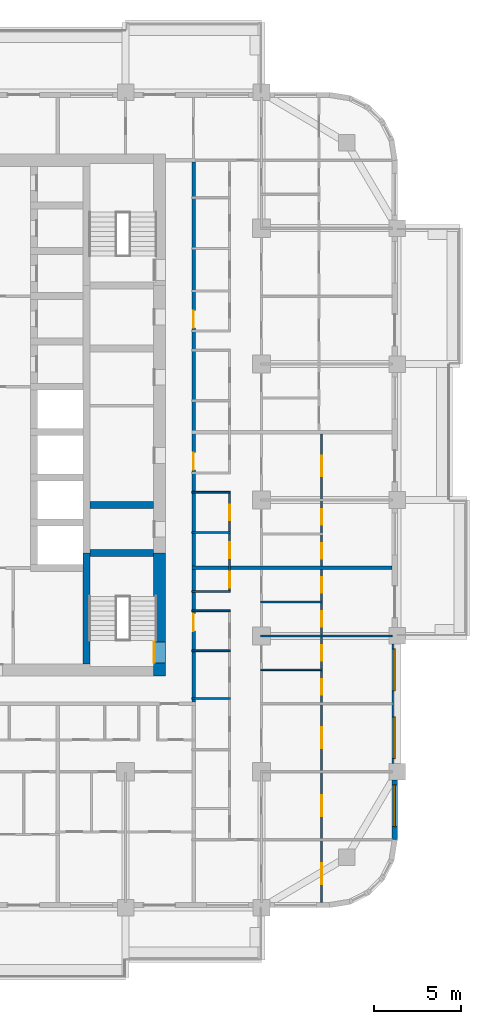
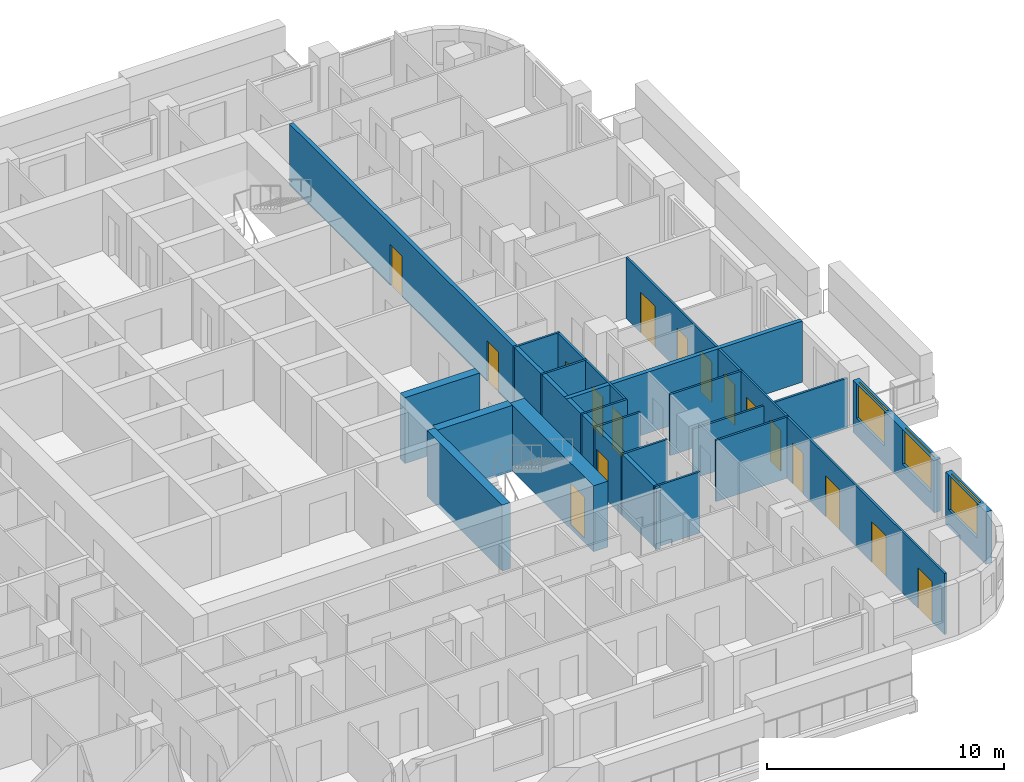
# One storey, part 8 of 17: 19 walls, 17 doors, 3 windows, 20 openings.
"""IFC4 building model written with IfcOpenShell, lengths in metres."""

from ifc_helpers import new_model, si_unit, direction, frame, frame_2d, origin, place, context, subcontext, project, spatial, rectangle, extrude, material, layer, layer_set, type_object, element, fill, save


model = new_model("IFC4")

# Units and contexts
model_context = context("Model", 3, precision=1e-05, world=origin(), true_north=direction((0.0, 1.0)))
body_context = subcontext(model_context, "Body", "Model", "MODEL_VIEW")
ifc_project = project(units=[si_unit("LENGTHUNIT", "METRE"), si_unit("AREAUNIT", "SQUARE_METRE"), si_unit("VOLUMEUNIT", "CUBIC_METRE"), si_unit("PLANEANGLEUNIT", "RADIAN"), si_unit("MASSUNIT", "GRAM", prefix="KILO")], contexts=[model_context])

# Site, building, storey
site_placement = place(None, origin())
site = spatial("IfcSite", under=ifc_project, at=site_placement, CompositionType="ELEMENT")
building_placement = place(site_placement, origin())
building = spatial("IfcBuilding", under=site, at=building_placement, Name="Ludao Terraces", CompositionType="ELEMENT")
storey_placement = place(building_placement, frame((0.0, 0.0, 88.60009765625)))
storey = spatial("IfcBuildingStorey", under=building, at=storey_placement, Name="L24", CompositionType="ELEMENT", Elevation=88.60009765625)

# Wall, opening, door
ifc_material_1 = material(Name="Concrete C70", Category="concrete")
ifc_layer_1 = layer(ifc_material_1, 0.699951171875)
ifc_layer_set_1 = layer_set([ifc_layer_1], Name="Core wall 700 C70")
wall_type_1 = type_object("IfcWallType", Name="Core wall 700 C70", PredefinedType="SOLIDWALL", material=ifc_layer_set_1)
wall_1_placement = place(storey_placement, frame((94.75, 54.89990234375, -0.25), z_axis=(0.0, 0.0, 1.0), x_axis=(0.0, 1.0, 0.0)))
wall_1 = element("IfcWall", 1, at=wall_1_placement, inside=storey, type_object=wall_type_1, Name="Core wall L24 outer-E-S3", PredefinedType="SOLIDWALL", context=body_context, shape_type="SweptSolid", body=[
    extrude(rectangle(XDim=7.050048828125, YDim=0.699951171875, at=frame_2d((3.52490234375, 0.0))), origin(), (0.0, 0.0, 1.0), 3.39990234375),
])
opening_1_placement = place(wall_1_placement, frame((0.75, 0.0, 0.25)))
opening_1 = element("IfcOpeningElement", 2, at=opening_1_placement, cuts=wall_1, Name="Opening R07-058", PredefinedType="OPENING", context=body_context, shape_type="SweptSolid", body=[
    extrude(rectangle(XDim=1.199951171875, YDim=2.10009765625, at=frame_2d((0.60009765625, 1.050048828125))), frame((0.0, 0.35986328125, 0.0), z_axis=(0.0, -1.0, 0.0), x_axis=(1.0, 0.0, 0.0)), (0.0, 0.0, 1.0), 0.719970703125),
])
ifc_material_2 = material(Name="Steel Q235", Category="steel")
door_type_1 = type_object("IfcDoorType", Name="INT Stair door 1200", OperationType="DOUBLE_DOOR_SINGLE_SWING", PredefinedType="DOOR", material=ifc_material_2)
door_1_placement = place(opening_1_placement, origin())
door_1 = element("IfcDoor", 3, at=door_1_placement, inside=storey, type_object=door_type_1, Name="DOOR 058", OperationType="DOUBLE_DOOR_SINGLE_SWING", OverallHeight=2.10009765625, OverallWidth=1.199951171875, PredefinedType="DOOR", context=body_context, shape_type="SweptSolid", body=[
    extrude(rectangle(XDim=1.199951171875, YDim=2.10009765625, at=frame_2d((0.60009765625, 1.050048828125))), frame((0.0, 0.3349609375, 0.0), z_axis=(0.0, -1.0, 0.0), x_axis=(1.0, 0.0, 0.0)), (0.0, 0.0, 1.0), 0.050048828125),
])
fill(opening_1, door_1)

# Wall, opening, window
ifc_material_3 = material(Name="Granite cladding", Category="masonry")
ifc_layer_2 = layer(ifc_material_3, 0.0400390625, Category="stone")
ifc_material_4 = material(Name="Mineral wool")
ifc_layer_3 = layer(ifc_material_4, 0.06005859375)
ifc_material_5 = material(Name="Concrete C40", Category="concrete")
ifc_layer_4 = layer(ifc_material_5, 0.199951171875, Category="concrete")
ifc_layer_set_2 = layer_set([ifc_layer_2, ifc_layer_3, ifc_layer_4], Name="ENV Stone-clad wall 300")
wall_type_2 = type_object("IfcWallType", Name="ENV Stone-clad wall 300", PredefinedType="SOLIDWALL", material=ifc_layer_set_2)
wall_2_placement = place(storey_placement, frame((108.25, 45.5, 0.0), z_axis=(0.0, 0.0, 1.0), x_axis=(0.0, 1.0, 0.0)))
wall_2 = element("IfcWall", 4, at=wall_2_placement, inside=storey, type_object=wall_type_2, Name="EW-L24-E1", PredefinedType="SOLIDWALL", context=body_context, shape_type="SweptSolid", body=[
    extrude(rectangle(XDim=3.425048828125, YDim=0.300048828125, at=frame_2d((1.71240234375, 0.0))), origin(), (0.0, 0.0, 1.0), 2.699951171875),
])
opening_2_placement = place(wall_2_placement, frame((0.75, 0.0, 0.89990234375)))
opening_2 = element("IfcOpeningElement", 5, at=opening_2_placement, cuts=wall_2, Name="Opening W1", PredefinedType="OPENING", context=body_context, shape_type="SweptSolid", body=[
    extrude(rectangle(XDim=2.39990234375, YDim=1.800048828125, at=frame_2d((1.199951171875, 0.89990234375))), frame((0.0, 0.16015625, 0.0), z_axis=(0.0, -1.0, 0.0), x_axis=(1.0, 0.0, 0.0)), (0.0, 0.0, 1.0), 0.320068359375),
])
ifc_material_6 = material(Name="Clear glass in aluminium frame", Category="aluminium")
ifc_layer_5 = layer(ifc_material_6, 0.06005859375)
ifc_layer_set_3 = layer_set([ifc_layer_5], Name="ENV Window W1 2400x1800")
window_type = type_object("IfcWindowType", Name="ENV Window W1 2400x1800", PartitioningType="DOUBLE_PANEL_VERTICAL", PredefinedType="WINDOW", material=ifc_layer_set_3)
window_1_placement = place(opening_2_placement, origin())
window_1 = element("IfcWindow", 6, at=window_1_placement, inside=storey, type_object=window_type, Name="W-L24-E1-1", OverallHeight=1.800048828125, OverallWidth=2.39990234375, PartitioningType="DOUBLE_PANEL_VERTICAL", PredefinedType="WINDOW", context=body_context, shape_type="SweptSolid", body=[
    extrude(rectangle(XDim=2.39990234375, YDim=1.800048828125, at=frame_2d((1.199951171875, 0.89990234375))), frame((0.0, 0.030029296875, 0.0), z_axis=(0.0, -1.0, 0.0), x_axis=(1.0, 0.0, 0.0)), (0.0, 0.0, 1.0), 0.06005859375),
])
fill(opening_2, window_1)

# Wall, openings, windows
wall_3_placement = place(storey_placement, frame((108.25, 49.875, 0.0), z_axis=(0.0, 0.0, 1.0), x_axis=(0.0, 1.0, 0.0)))
wall_3 = element("IfcWall", 7, at=wall_3_placement, inside=storey, type_object=wall_type_2, Name="EW-L24-E2", PredefinedType="SOLIDWALL", context=body_context, shape_type="SweptSolid", body=[
    extrude(rectangle(XDim=6.85009765625, YDim=0.300048828125, at=frame_2d((3.425048828125, 0.0))), origin(), (0.0, 0.0, 1.0), 2.699951171875),
])
opening_3_placement = place(wall_3_placement, frame((0.27490234375, 0.0, 0.89990234375)))
opening_3 = element("IfcOpeningElement", 8, at=opening_3_placement, cuts=wall_3, Name="Opening W1", PredefinedType="OPENING", context=body_context, shape_type="SweptSolid", body=[
    extrude(rectangle(XDim=2.39990234375, YDim=1.800048828125, at=frame_2d((1.199951171875, 0.89990234375))), frame((0.0, 0.16015625, 0.0), z_axis=(0.0, -1.0, 0.0), x_axis=(1.0, 0.0, 0.0)), (0.0, 0.0, 1.0), 0.320068359375),
])
opening_4_placement = place(wall_3_placement, frame((4.175048828125, 0.0, 0.89990234375)))
opening_4 = element("IfcOpeningElement", 9, at=opening_4_placement, cuts=wall_3, Name="Opening W1", PredefinedType="OPENING", context=body_context, shape_type="SweptSolid", body=[
    extrude(rectangle(XDim=2.39990234375, YDim=1.800048828125, at=frame_2d((1.199951171875, 0.89990234375))), frame((0.0, 0.16015625, 0.0), z_axis=(0.0, -1.0, 0.0), x_axis=(1.0, 0.0, 0.0)), (0.0, 0.0, 1.0), 0.320068359375),
])
window_2_placement = place(opening_3_placement, origin())
window_2 = element("IfcWindow", 10, at=window_2_placement, inside=storey, type_object=window_type, Name="W-L24-E2-1", OverallHeight=1.800048828125, OverallWidth=2.39990234375, PartitioningType="DOUBLE_PANEL_VERTICAL", PredefinedType="WINDOW", context=body_context, shape_type="SweptSolid", body=[
    extrude(rectangle(XDim=2.39990234375, YDim=1.800048828125, at=frame_2d((1.199951171875, 0.89990234375))), frame((0.0, 0.030029296875, 0.0), z_axis=(0.0, -1.0, 0.0), x_axis=(1.0, 0.0, 0.0)), (0.0, 0.0, 1.0), 0.06005859375),
])
fill(opening_3, window_2)
window_3_placement = place(opening_4_placement, origin())
window_3 = element("IfcWindow", 11, at=window_3_placement, inside=storey, type_object=window_type, Name="W-L24-E2-2", OverallHeight=1.800048828125, OverallWidth=2.39990234375, PartitioningType="DOUBLE_PANEL_VERTICAL", PredefinedType="WINDOW", context=body_context, shape_type="SweptSolid", body=[
    extrude(rectangle(XDim=2.39990234375, YDim=1.800048828125, at=frame_2d((1.199951171875, 0.89990234375))), frame((0.0, 0.030029296875, 0.0), z_axis=(0.0, -1.0, 0.0), x_axis=(1.0, 0.0, 0.0)), (0.0, 0.0, 1.0), 0.06005859375),
])
fill(opening_4, window_3)

# Wall, openings, doors
ifc_material_7 = material(Name="Autoclaved aerated concrete block B06 A3.5", Category="concrete")
ifc_layer_6 = layer(ifc_material_7, 0.199951171875)
ifc_layer_set_4 = layer_set([ifc_layer_6], Name="INT Entrance wall 200")
wall_type_3 = type_object("IfcWallType", Name="INT Entrance wall 200", PredefinedType="PARTITIONING", material=ifc_layer_set_4)
wall_4_placement = place(storey_placement, frame((96.699951171875, 53.400146484375, 0.0), z_axis=(0.0, 0.0, 1.0), x_axis=(0.0, 1.0, 0.0)))
wall_4 = element("IfcWall", 12, at=wall_4_placement, inside=storey, type_object=wall_type_3, Name="PW-L24-PW115", PredefinedType="PARTITIONING", context=body_context, shape_type="SweptSolid", body=[
    extrude(rectangle(XDim=31.0, YDim=0.199951171875, at=frame_2d((15.5, 0.0))), origin(), (0.0, 0.0, 1.0), 3.14990234375),
])
opening_5_placement = place(wall_4_placement, frame((4.074951171875, 0.0, 0.0)))
opening_5 = element("IfcOpeningElement", 13, at=opening_5_placement, cuts=wall_4, Name="Opening R07-061", PredefinedType="OPENING", context=body_context, shape_type="SweptSolid", body=[
    extrude(rectangle(XDim=1.0, YDim=2.10009765625, at=frame_2d((0.5, 1.050048828125))), frame((0.0, 0.10986328125, 0.0), z_axis=(0.0, -1.0, 0.0), x_axis=(1.0, 0.0, 0.0)), (0.0, 0.0, 1.0), 0.219970703125),
])
opening_6_placement = place(wall_4_placement, frame((13.324951171875, 0.0, 0.0)))
opening_6 = element("IfcOpeningElement", 14, at=opening_6_placement, cuts=wall_4, Name="Opening R07-090", PredefinedType="OPENING", context=body_context, shape_type="SweptSolid", body=[
    extrude(rectangle(XDim=1.0, YDim=2.10009765625, at=frame_2d((0.5, 1.050048828125))), frame((0.0, 0.10986328125, 0.0), z_axis=(0.0, -1.0, 0.0), x_axis=(1.0, 0.0, 0.0)), (0.0, 0.0, 1.0), 0.219970703125),
])
opening_7_placement = place(wall_4_placement, frame((21.47509765625, 0.0, 0.0)))
opening_7 = element("IfcOpeningElement", 15, at=opening_7_placement, cuts=wall_4, Name="Opening R07-116", PredefinedType="OPENING", context=body_context, shape_type="SweptSolid", body=[
    extrude(rectangle(XDim=1.0, YDim=2.10009765625, at=frame_2d((0.5, 1.050048828125))), frame((0.0, 0.10986328125, 0.0), z_axis=(0.0, -1.0, 0.0), x_axis=(1.0, 0.0, 0.0)), (0.0, 0.0, 1.0), 0.219970703125),
])
door_type_2 = type_object("IfcDoorType", Name="INT Flat entrance door 1000", OperationType="SINGLE_SWING_LEFT", PredefinedType="DOOR", material=ifc_material_2)
door_2_placement = place(opening_5_placement, origin())
door_2 = element("IfcDoor", 16, at=door_2_placement, inside=storey, type_object=door_type_2, Name="DOOR 061", OperationType="SINGLE_SWING_RIGHT", OverallHeight=2.10009765625, OverallWidth=1.0, PredefinedType="DOOR", context=body_context, shape_type="SweptSolid", body=[
    extrude(rectangle(XDim=1.0, YDim=2.10009765625, at=frame_2d((0.5, 1.050048828125))), frame((0.0, 0.02490234375, 0.0), z_axis=(0.0, -1.0, 0.0), x_axis=(1.0, 0.0, 0.0)), (0.0, 0.0, 1.0), 0.050048828125),
])
fill(opening_5, door_2)
door_3_placement = place(opening_6_placement, origin())
door_3 = element("IfcDoor", 17, at=door_3_placement, inside=storey, type_object=door_type_2, Name="DOOR 090", OperationType="SINGLE_SWING_LEFT", OverallHeight=2.10009765625, OverallWidth=1.0, PredefinedType="DOOR", context=body_context, shape_type="SweptSolid", body=[
    extrude(rectangle(XDim=1.0, YDim=2.10009765625, at=frame_2d((0.5, 1.050048828125))), frame((0.0, 0.02490234375, 0.0), z_axis=(0.0, -1.0, 0.0), x_axis=(1.0, 0.0, 0.0)), (0.0, 0.0, 1.0), 0.050048828125),
])
fill(opening_6, door_3)
door_4_placement = place(opening_7_placement, origin())
door_4 = element("IfcDoor", 18, at=door_4_placement, inside=storey, type_object=door_type_2, Name="DOOR 116", OperationType="SINGLE_SWING_LEFT", OverallHeight=2.10009765625, OverallWidth=1.0, PredefinedType="DOOR", context=body_context, shape_type="SweptSolid", body=[
    extrude(rectangle(XDim=1.0, YDim=2.10009765625, at=frame_2d((0.5, 1.050048828125))), frame((0.0, 0.02490234375, 0.0), z_axis=(0.0, -1.0, 0.0), x_axis=(1.0, 0.0, 0.0)), (0.0, 0.0, 1.0), 0.050048828125),
])
fill(opening_7, door_4)

# Walls
ifc_material_8 = material(Name="Gypsum plasterboard", Category="gypsum")
ifc_layer_7 = layer(ifc_material_8, 0.012451171875, Category="gypsum")
ifc_layer_8 = layer(ifc_material_4, 0.06005859375, Name="insulation")
ifc_layer_9 = layer(ifc_material_2, 0.014892578125, Name="stud")
ifc_layer_10 = layer(ifc_material_8, 0.012451171875, Category="gypsum")
ifc_layer_set_5 = layer_set([ifc_layer_7, ifc_layer_8, ifc_layer_9, ifc_layer_10], Name="INT Partition 100")
wall_type_4 = type_object("IfcWallType", Name="INT Partition 100", PredefinedType="PARTITIONING", material=ifc_layer_set_5)
wall_5_placement = place(storey_placement, frame((96.60009765625, 53.60009765625, 0.0), z_axis=(0.0, 0.0, 1.0), x_axis=(1.0, 0.0, 0.0)))
element("IfcWall", 19, at=wall_5_placement, inside=storey, type_object=wall_type_4, Name="PW-L24-PW019", PredefinedType="PARTITIONING", context=body_context, shape_type="SweptSolid", body=[
    extrude(rectangle(XDim=2.219970703125, YDim=0.10009765625, at=frame_2d((1.10986328125, 0.0))), origin(), (0.0, 0.0, 1.0), 3.14990234375),
])
wall_6_placement = place(storey_placement, frame((100.550048828125, 55.25, 0.0), z_axis=(0.0, 0.0, 1.0), x_axis=(1.0, 0.0, 0.0)))
element("IfcWall", 20, at=wall_6_placement, inside=storey, type_object=wall_type_4, Name="PW-L24-PW021", PredefinedType="PARTITIONING", context=body_context, shape_type="SweptSolid", body=[
    extrude(rectangle(XDim=3.550048828125, YDim=0.10009765625, at=frame_2d((1.77490234375, 0.0))), origin(), (0.0, 0.0, 1.0), 3.14990234375),
])
wall_7_placement = place(storey_placement, frame((96.60009765625, 56.35009765625, 0.0), z_axis=(0.0, 0.0, 1.0), x_axis=(1.0, 0.0, 0.0)))
element("IfcWall", 21, at=wall_7_placement, inside=storey, type_object=wall_type_4, Name="PW-L24-PW022", PredefinedType="PARTITIONING", context=body_context, shape_type="SweptSolid", body=[
    extrude(rectangle(XDim=2.219970703125, YDim=0.10009765625, at=frame_2d((1.10986328125, 0.0))), origin(), (0.0, 0.0, 1.0), 3.14990234375),
])
wall_8_placement = place(storey_placement, frame((100.550048828125, 57.199951171875, 0.0), z_axis=(0.0, 0.0, 1.0), x_axis=(1.0, 0.0, 0.0)))
element("IfcWall", 22, at=wall_8_placement, inside=storey, type_object=wall_type_4, Name="PW-L24-PW025", PredefinedType="PARTITIONING", context=body_context, shape_type="SweptSolid", body=[
    extrude(rectangle(XDim=7.550048828125, YDim=0.10009765625, at=frame_2d((3.77490234375, 0.0))), origin(), (0.0, 0.0, 1.0), 2.5498046875),
])
wall_9_placement = place(storey_placement, frame((96.60009765625, 58.64990234375, 0.0), z_axis=(0.0, 0.0, 1.0), x_axis=(1.0, 0.0, 0.0)))
element("IfcWall", 23, at=wall_9_placement, inside=storey, type_object=wall_type_4, Name="PW-L24-PW026", PredefinedType="PARTITIONING", context=body_context, shape_type="SweptSolid", body=[
    extrude(rectangle(XDim=2.219970703125, YDim=0.10009765625, at=frame_2d((1.10986328125, 0.0))), origin(), (0.0, 0.0, 1.0), 3.14990234375),
])
wall_10_placement = place(storey_placement, frame((100.550048828125, 59.14990234375, 0.0), z_axis=(0.0, 0.0, 1.0), x_axis=(1.0, 0.0, 0.0)))
element("IfcWall", 24, at=wall_10_placement, inside=storey, type_object=wall_type_4, Name="PW-L24-PW029", PredefinedType="PARTITIONING", context=body_context, shape_type="SweptSolid", body=[
    extrude(rectangle(XDim=3.550048828125, YDim=0.10009765625, at=frame_2d((1.77490234375, 0.0))), origin(), (0.0, 0.0, 1.0), 3.14990234375),
])
for number, where, z_axis, x_axis, name in (
    (25, (96.60009765625, 59.75, 0.0), (0.0, 0.0, 1.0), (1.0, 0.0, 0.0), "PW-L24-PW030"),
    (26, (96.60009765625, 63.1298828125, 0.0), (0.0, 0.0, 1.0), (1.0, 0.0, 0.0), "PW-L24-PW036"),
    (27, (96.60009765625, 65.449951171875, 0.0), (0.0, 0.0, 1.0), (1.0, 0.0, 0.0), "PW-L24-PW040"),
):
    element("IfcWall", number, at=place(storey_placement, frame(where, z_axis=z_axis, x_axis=x_axis)), inside=storey, type_object=wall_type_4, Name=name, PredefinedType="PARTITIONING", context=body_context, shape_type="SweptSolid", body=[
        extrude(rectangle(XDim=2.219970703125, YDim=0.10009765625, at=frame_2d((1.10986328125, 0.0))), origin(), (0.0, 0.0, 1.0), 3.14990234375),
    ])

# Wall, openings, doors
wall_11_placement = place(storey_placement, frame((98.77001953125, 59.800048828125, 0.0), z_axis=(0.0, 0.0, 1.0), x_axis=(0.0, 1.0, 0.0)))
wall_11 = element("IfcWall", 28, at=wall_11_placement, inside=storey, type_object=wall_type_4, Name="PW-L24-PW118", PredefinedType="PARTITIONING", context=body_context, shape_type="SweptSolid", body=[
    extrude(rectangle(XDim=5.60009765625, YDim=0.10009765625, at=frame_2d((2.800048828125, 0.0))), origin(), (0.0, 0.0, 1.0), 3.14990234375),
])
opening_8_placement = place(wall_11_placement, frame((0.175048828125, 0.0, 0.0)))
opening_8 = element("IfcOpeningElement", 29, at=opening_8_placement, cuts=wall_11, Name="Opening R07-071", PredefinedType="OPENING", context=body_context, shape_type="SweptSolid", body=[
    extrude(rectangle(XDim=0.89990234375, YDim=2.10009765625, at=frame_2d((0.449951171875, 1.050048828125))), frame((0.0, 0.06005859375, 0.0), z_axis=(0.0, -1.0, 0.0), x_axis=(1.0, 0.0, 0.0)), (0.0, 0.0, 1.0), 0.1201171875),
])
opening_9_placement = place(wall_11_placement, frame((1.864990234375, 0.0, 0.0)))
opening_9 = element("IfcOpeningElement", 30, at=opening_9_placement, cuts=wall_11, Name="Opening R07-074", PredefinedType="OPENING", context=body_context, shape_type="SweptSolid", body=[
    extrude(rectangle(XDim=0.89990234375, YDim=2.10009765625, at=frame_2d((0.449951171875, 1.050048828125))), frame((0.0, 0.06005859375, 0.0), z_axis=(0.0, -1.0, 0.0), x_axis=(1.0, 0.0, 0.0)), (0.0, 0.0, 1.0), 0.1201171875),
])
opening_10_placement = place(wall_11_placement, frame((4.0400390625, 0.0, 0.0)))
opening_10 = element("IfcOpeningElement", 31, at=opening_10_placement, cuts=wall_11, Name="Opening R07-083", PredefinedType="OPENING", context=body_context, shape_type="SweptSolid", body=[
    extrude(rectangle(XDim=0.89990234375, YDim=2.10009765625, at=frame_2d((0.449951171875, 1.050048828125))), frame((0.0, 0.06005859375, 0.0), z_axis=(0.0, -1.0, 0.0), x_axis=(1.0, 0.0, 0.0)), (0.0, 0.0, 1.0), 0.1201171875),
])
ifc_material_9 = material(Name="Timber door leaf", Category="wood")
door_type_3 = type_object("IfcDoorType", Name="INT Bathroom door 900", OperationType="SINGLE_SWING_LEFT", PredefinedType="DOOR", material=ifc_material_9)
door_5_placement = place(opening_8_placement, origin())
door_5 = element("IfcDoor", 32, at=door_5_placement, inside=storey, type_object=door_type_3, Name="DOOR 071", OperationType="SINGLE_SWING_RIGHT", OverallHeight=2.10009765625, OverallWidth=0.89990234375, PredefinedType="DOOR", context=body_context, shape_type="SweptSolid", body=[
    extrude(rectangle(XDim=0.89990234375, YDim=2.10009765625, at=frame_2d((0.449951171875, 1.050048828125))), frame((0.0, 0.02490234375, 0.0), z_axis=(0.0, -1.0, 0.0), x_axis=(1.0, 0.0, 0.0)), (0.0, 0.0, 1.0), 0.050048828125),
])
fill(opening_8, door_5)
door_6_placement = place(opening_9_placement, origin())
door_6 = element("IfcDoor", 33, at=door_6_placement, inside=storey, type_object=door_type_3, Name="DOOR 074", OperationType="SINGLE_SWING_LEFT", OverallHeight=2.10009765625, OverallWidth=0.89990234375, PredefinedType="DOOR", context=body_context, shape_type="SweptSolid", body=[
    extrude(rectangle(XDim=0.89990234375, YDim=2.10009765625, at=frame_2d((0.449951171875, 1.050048828125))), frame((0.0, 0.02490234375, 0.0), z_axis=(0.0, -1.0, 0.0), x_axis=(1.0, 0.0, 0.0)), (0.0, 0.0, 1.0), 0.050048828125),
])
fill(opening_9, door_6)
door_type_4 = type_object("IfcDoorType", Name="INT Room door 900", OperationType="SINGLE_SWING_LEFT", PredefinedType="DOOR", material=ifc_material_9)
door_7_placement = place(opening_10_placement, origin())
door_7 = element("IfcDoor", 34, at=door_7_placement, inside=storey, type_object=door_type_4, Name="DOOR 083", OperationType="SINGLE_SWING_LEFT", OverallHeight=2.10009765625, OverallWidth=0.89990234375, PredefinedType="DOOR", context=body_context, shape_type="SweptSolid", body=[
    extrude(rectangle(XDim=0.89990234375, YDim=2.10009765625, at=frame_2d((0.449951171875, 1.050048828125))), frame((0.0, 0.02490234375, 0.0), z_axis=(0.0, -1.0, 0.0), x_axis=(1.0, 0.0, 0.0)), (0.0, 0.0, 1.0), 0.050048828125),
])
fill(opening_10, door_7)

wall_12_placement = place(storey_placement, frame((104.050048828125, 41.900146484375, 0.0), z_axis=(0.0, 0.0, 1.0), x_axis=(0.0, 1.0, 0.0)))
wall_12 = element("IfcWall", 35, at=wall_12_placement, inside=storey, type_object=wall_type_4, Name="PW-L24-PW123", PredefinedType="PARTITIONING", context=body_context, shape_type="SweptSolid", body=[
    extrude(rectangle(XDim=26.89990234375, YDim=0.10009765625, at=frame_2d((13.449951171875, 0.0))), origin(), (0.0, 0.0, 1.0), 3.14990234375),
])
opening_11_placement = place(wall_12_placement, frame((1.050048828125, 0.0, 0.0)))
opening_11 = element("IfcOpeningElement", 36, at=opening_11_placement, cuts=wall_12, Name="Opening R07-004", PredefinedType="OPENING", context=body_context, shape_type="SweptSolid", body=[
    extrude(rectangle(XDim=1.199951171875, YDim=2.10009765625, at=frame_2d((0.60009765625, 1.050048828125))), frame((0.0, 0.06005859375, 0.0), z_axis=(0.0, -1.0, 0.0), x_axis=(1.0, 0.0, 0.0)), (0.0, 0.0, 1.0), 0.1201171875),
])
opening_12_placement = place(wall_12_placement, frame((4.949951171875, 0.0, 0.0)))
opening_12 = element("IfcOpeningElement", 37, at=opening_12_placement, cuts=wall_12, Name="Opening R07-021", PredefinedType="OPENING", context=body_context, shape_type="SweptSolid", body=[
    extrude(rectangle(XDim=1.199951171875, YDim=2.10009765625, at=frame_2d((0.60009765625, 1.050048828125))), frame((0.0, 0.06005859375, 0.0), z_axis=(0.0, -1.0, 0.0), x_axis=(1.0, 0.0, 0.0)), (0.0, 0.0, 1.0), 0.1201171875),
])
opening_13_placement = place(wall_12_placement, frame((8.85009765625, 0.0, 0.0)))
opening_13 = element("IfcOpeningElement", 38, at=opening_13_placement, cuts=wall_12, Name="Opening R07-044", PredefinedType="OPENING", context=body_context, shape_type="SweptSolid", body=[
    extrude(rectangle(XDim=1.199951171875, YDim=2.10009765625, at=frame_2d((0.60009765625, 1.050048828125))), frame((0.0, 0.06005859375, 0.0), z_axis=(0.0, -1.0, 0.0), x_axis=(1.0, 0.0, 0.0)), (0.0, 0.0, 1.0), 0.1201171875),
])
opening_14_placement = place(wall_12_placement, frame((11.925048828125, 0.0, 0.0)))
opening_14 = element("IfcOpeningElement", 39, at=opening_14_placement, cuts=wall_12, Name="Opening R07-050", PredefinedType="OPENING", context=body_context, shape_type="SweptSolid", body=[
    extrude(rectangle(XDim=0.89990234375, YDim=2.10009765625, at=frame_2d((0.449951171875, 1.050048828125))), frame((0.0, 0.06005859375, 0.0), z_axis=(0.0, -1.0, 0.0), x_axis=(1.0, 0.0, 0.0)), (0.0, 0.0, 1.0), 0.1201171875),
])
opening_15_placement = place(wall_12_placement, frame((13.875, 0.0, 0.0)))
opening_15 = element("IfcOpeningElement", 40, at=opening_15_placement, cuts=wall_12, Name="Opening R07-057", PredefinedType="OPENING", context=body_context, shape_type="SweptSolid", body=[
    extrude(rectangle(XDim=0.89990234375, YDim=2.10009765625, at=frame_2d((0.449951171875, 1.050048828125))), frame((0.0, 0.06005859375, 0.0), z_axis=(0.0, -1.0, 0.0), x_axis=(1.0, 0.0, 0.0)), (0.0, 0.0, 1.0), 0.1201171875),
])
opening_16_placement = place(wall_12_placement, frame((15.824951171875, 0.0, 0.0)))
opening_16 = element("IfcOpeningElement", 41, at=opening_16_placement, cuts=wall_12, Name="Opening R07-065", PredefinedType="OPENING", context=body_context, shape_type="SweptSolid", body=[
    extrude(rectangle(XDim=0.89990234375, YDim=2.10009765625, at=frame_2d((0.449951171875, 1.050048828125))), frame((0.0, 0.06005859375, 0.0), z_axis=(0.0, -1.0, 0.0), x_axis=(1.0, 0.0, 0.0)), (0.0, 0.0, 1.0), 0.1201171875),
])
opening_17_placement = place(wall_12_placement, frame((17.77490234375, 0.0, 0.0)))
opening_17 = element("IfcOpeningElement", 42, at=opening_17_placement, cuts=wall_12, Name="Opening R07-069", PredefinedType="OPENING", context=body_context, shape_type="SweptSolid", body=[
    extrude(rectangle(XDim=0.89990234375, YDim=2.10009765625, at=frame_2d((0.449951171875, 1.050048828125))), frame((0.0, 0.06005859375, 0.0), z_axis=(0.0, -1.0, 0.0), x_axis=(1.0, 0.0, 0.0)), (0.0, 0.0, 1.0), 0.1201171875),
])
opening_18_placement = place(wall_12_placement, frame((19.72509765625, 0.0, 0.0)))
opening_18 = element("IfcOpeningElement", 43, at=opening_18_placement, cuts=wall_12, Name="Opening R07-073", PredefinedType="OPENING", context=body_context, shape_type="SweptSolid", body=[
    extrude(rectangle(XDim=0.89990234375, YDim=2.10009765625, at=frame_2d((0.449951171875, 1.050048828125))), frame((0.0, 0.06005859375, 0.0), z_axis=(0.0, -1.0, 0.0), x_axis=(1.0, 0.0, 0.0)), (0.0, 0.0, 1.0), 0.1201171875),
])
opening_19_placement = place(wall_12_placement, frame((21.675048828125, 0.0, 0.0)))
opening_19 = element("IfcOpeningElement", 44, at=opening_19_placement, cuts=wall_12, Name="Opening R07-082", PredefinedType="OPENING", context=body_context, shape_type="SweptSolid", body=[
    extrude(rectangle(XDim=0.89990234375, YDim=2.10009765625, at=frame_2d((0.449951171875, 1.050048828125))), frame((0.0, 0.06005859375, 0.0), z_axis=(0.0, -1.0, 0.0), x_axis=(1.0, 0.0, 0.0)), (0.0, 0.0, 1.0), 0.1201171875),
])
opening_20_placement = place(wall_12_placement, frame((24.449951171875, 0.0, 0.0)))
opening_20 = element("IfcOpeningElement", 45, at=opening_20_placement, cuts=wall_12, Name="Opening R07-089", PredefinedType="OPENING", context=body_context, shape_type="SweptSolid", body=[
    extrude(rectangle(XDim=1.199951171875, YDim=2.10009765625, at=frame_2d((0.60009765625, 1.050048828125))), frame((0.0, 0.06005859375, 0.0), z_axis=(0.0, -1.0, 0.0), x_axis=(1.0, 0.0, 0.0)), (0.0, 0.0, 1.0), 0.1201171875),
])
door_8_placement = place(opening_14_placement, origin())
door_8 = element("IfcDoor", 46, at=door_8_placement, inside=storey, type_object=door_type_3, Name="DOOR 050", OperationType="SINGLE_SWING_LEFT", OverallHeight=2.10009765625, OverallWidth=0.89990234375, PredefinedType="DOOR", context=body_context, shape_type="SweptSolid", body=[
    extrude(rectangle(XDim=0.89990234375, YDim=2.10009765625, at=frame_2d((0.449951171875, 1.050048828125))), frame((0.0, 0.02490234375, 0.0), z_axis=(0.0, -1.0, 0.0), x_axis=(1.0, 0.0, 0.0)), (0.0, 0.0, 1.0), 0.050048828125),
])
fill(opening_14, door_8)
door_9_placement = place(opening_16_placement, origin())
door_9 = element("IfcDoor", 47, at=door_9_placement, inside=storey, type_object=door_type_3, Name="DOOR 065", OperationType="SINGLE_SWING_LEFT", OverallHeight=2.10009765625, OverallWidth=0.89990234375, PredefinedType="DOOR", context=body_context, shape_type="SweptSolid", body=[
    extrude(rectangle(XDim=0.89990234375, YDim=2.10009765625, at=frame_2d((0.449951171875, 1.050048828125))), frame((0.0, 0.02490234375, 0.0), z_axis=(0.0, -1.0, 0.0), x_axis=(1.0, 0.0, 0.0)), (0.0, 0.0, 1.0), 0.050048828125),
])
fill(opening_16, door_9)
door_10_placement = place(opening_18_placement, origin())
door_10 = element("IfcDoor", 48, at=door_10_placement, inside=storey, type_object=door_type_3, Name="DOOR 073", OperationType="SINGLE_SWING_LEFT", OverallHeight=2.10009765625, OverallWidth=0.89990234375, PredefinedType="DOOR", context=body_context, shape_type="SweptSolid", body=[
    extrude(rectangle(XDim=0.89990234375, YDim=2.10009765625, at=frame_2d((0.449951171875, 1.050048828125))), frame((0.0, 0.02490234375, 0.0), z_axis=(0.0, -1.0, 0.0), x_axis=(1.0, 0.0, 0.0)), (0.0, 0.0, 1.0), 0.050048828125),
])
fill(opening_18, door_10)
door_type_5 = type_object("IfcDoorType", Name="INT Double door 1200", OperationType="DOUBLE_DOOR_SINGLE_SWING", PredefinedType="DOOR", material=ifc_material_9)
door_11_placement = place(opening_11_placement, origin())
door_11 = element("IfcDoor", 49, at=door_11_placement, inside=storey, type_object=door_type_5, Name="DOOR 004", OperationType="DOUBLE_DOOR_SINGLE_SWING", OverallHeight=2.10009765625, OverallWidth=1.199951171875, PredefinedType="DOOR", context=body_context, shape_type="SweptSolid", body=[
    extrude(rectangle(XDim=1.199951171875, YDim=2.10009765625, at=frame_2d((0.60009765625, 1.050048828125))), frame((0.0, 0.02490234375, 0.0), z_axis=(0.0, -1.0, 0.0), x_axis=(1.0, 0.0, 0.0)), (0.0, 0.0, 1.0), 0.050048828125),
])
fill(opening_11, door_11)
door_12_placement = place(opening_12_placement, origin())
door_12 = element("IfcDoor", 50, at=door_12_placement, inside=storey, type_object=door_type_5, Name="DOOR 021", OperationType="DOUBLE_DOOR_SINGLE_SWING", OverallHeight=2.10009765625, OverallWidth=1.199951171875, PredefinedType="DOOR", context=body_context, shape_type="SweptSolid", body=[
    extrude(rectangle(XDim=1.199951171875, YDim=2.10009765625, at=frame_2d((0.60009765625, 1.050048828125))), frame((0.0, 0.02490234375, 0.0), z_axis=(0.0, -1.0, 0.0), x_axis=(1.0, 0.0, 0.0)), (0.0, 0.0, 1.0), 0.050048828125),
])
fill(opening_12, door_12)
door_13_placement = place(opening_13_placement, origin())
door_13 = element("IfcDoor", 51, at=door_13_placement, inside=storey, type_object=door_type_5, Name="DOOR 044", OperationType="DOUBLE_DOOR_SINGLE_SWING", OverallHeight=2.10009765625, OverallWidth=1.199951171875, PredefinedType="DOOR", context=body_context, shape_type="SweptSolid", body=[
    extrude(rectangle(XDim=1.199951171875, YDim=2.10009765625, at=frame_2d((0.60009765625, 1.050048828125))), frame((0.0, 0.02490234375, 0.0), z_axis=(0.0, -1.0, 0.0), x_axis=(1.0, 0.0, 0.0)), (0.0, 0.0, 1.0), 0.050048828125),
])
fill(opening_13, door_13)
door_14_placement = place(opening_20_placement, origin())
door_14 = element("IfcDoor", 52, at=door_14_placement, inside=storey, type_object=door_type_5, Name="DOOR 089", OperationType="DOUBLE_DOOR_SINGLE_SWING", OverallHeight=2.10009765625, OverallWidth=1.199951171875, PredefinedType="DOOR", context=body_context, shape_type="SweptSolid", body=[
    extrude(rectangle(XDim=1.199951171875, YDim=2.10009765625, at=frame_2d((0.60009765625, 1.050048828125))), frame((0.0, 0.02490234375, 0.0), z_axis=(0.0, -1.0, 0.0), x_axis=(1.0, 0.0, 0.0)), (0.0, 0.0, 1.0), 0.050048828125),
])
fill(opening_20, door_14)
door_15_placement = place(opening_15_placement, origin())
door_15 = element("IfcDoor", 53, at=door_15_placement, inside=storey, type_object=door_type_4, Name="DOOR 057", OperationType="SINGLE_SWING_RIGHT", OverallHeight=2.10009765625, OverallWidth=0.89990234375, PredefinedType="DOOR", context=body_context, shape_type="SweptSolid", body=[
    extrude(rectangle(XDim=0.89990234375, YDim=2.10009765625, at=frame_2d((0.449951171875, 1.050048828125))), frame((0.0, 0.02490234375, 0.0), z_axis=(0.0, -1.0, 0.0), x_axis=(1.0, 0.0, 0.0)), (0.0, 0.0, 1.0), 0.050048828125),
])
fill(opening_15, door_15)
door_16_placement = place(opening_17_placement, origin())
door_16 = element("IfcDoor", 54, at=door_16_placement, inside=storey, type_object=door_type_4, Name="DOOR 069", OperationType="SINGLE_SWING_LEFT", OverallHeight=2.10009765625, OverallWidth=0.89990234375, PredefinedType="DOOR", context=body_context, shape_type="SweptSolid", body=[
    extrude(rectangle(XDim=0.89990234375, YDim=2.10009765625, at=frame_2d((0.449951171875, 1.050048828125))), frame((0.0, 0.02490234375, 0.0), z_axis=(0.0, -1.0, 0.0), x_axis=(1.0, 0.0, 0.0)), (0.0, 0.0, 1.0), 0.050048828125),
])
fill(opening_17, door_16)
door_17_placement = place(opening_19_placement, origin())
door_17 = element("IfcDoor", 55, at=door_17_placement, inside=storey, type_object=door_type_4, Name="DOOR 082", OperationType="SINGLE_SWING_LEFT", OverallHeight=2.10009765625, OverallWidth=0.89990234375, PredefinedType="DOOR", context=body_context, shape_type="SweptSolid", body=[
    extrude(rectangle(XDim=0.89990234375, YDim=2.10009765625, at=frame_2d((0.449951171875, 1.050048828125))), frame((0.0, 0.02490234375, 0.0), z_axis=(0.0, -1.0, 0.0), x_axis=(1.0, 0.0, 0.0)), (0.0, 0.0, 1.0), 0.050048828125),
])
fill(opening_19, door_17)

# Walls
ifc_layer_11 = layer(ifc_material_7, 0.199951171875)
ifc_layer_set_6 = layer_set([ifc_layer_11], Name="INT Party wall 200")
wall_type_5 = type_object("IfcWallType", Name="INT Party wall 200", PredefinedType="PARTITIONING", material=ifc_layer_set_6)
wall_13_placement = place(storey_placement, frame((96.60009765625, 61.10009765625, 0.0), z_axis=(0.0, 0.0, 1.0), x_axis=(1.0, 0.0, 0.0)))
element("IfcWall", 56, at=wall_13_placement, inside=storey, type_object=wall_type_5, Name="PW-L24-PW034", PredefinedType="PARTITIONING", context=body_context, shape_type="SweptSolid", body=[
    extrude(rectangle(XDim=11.5, YDim=0.199951171875, at=frame_2d((5.75, 0.0))), origin(), (0.0, 0.0, 1.0), 3.14990234375),
])
ifc_material_10 = material(Name="Concrete C60", Category="concrete")
ifc_layer_12 = layer(ifc_material_10, 0.39990234375)
ifc_layer_set_7 = layer_set([ifc_layer_12], Name="Shaft wall 400 C60")
wall_type_6 = type_object("IfcWallType", Name="Shaft wall 400 C60", PredefinedType="SOLIDWALL", material=ifc_layer_set_7)
wall_14_placement = place(storey_placement, frame((90.550048828125, 55.60009765625, -0.25), z_axis=(0.0, 0.0, 1.0), x_axis=(0.0, 1.0, 0.0)))
element("IfcWall", 57, at=wall_14_placement, inside=storey, type_object=wall_type_6, Name="Core wall L24 back-E-S3", PredefinedType="SOLIDWALL", context=body_context, shape_type="SweptSolid", body=[
    extrude(rectangle(XDim=6.349853515625, YDim=0.39990234375, at=frame_2d((3.1748046875, 0.0))), origin(), (0.0, 0.0, 1.0), 3.39990234375),
])
for number, where, z_axis, x_axis, name in (
    (58, (90.75, 61.949951171875, -0.25), (0.0, 0.0, 1.0), (1.0, 0.0, 0.0), "Core wall L24 hall-E"),
    (59, (90.75, 64.699951171875, -0.25), (0.0, 0.0, 1.0), (1.0, 0.0, 0.0), "Core wall L24 riser-a-E"),
):
    element("IfcWall", number, at=place(storey_placement, frame(where, z_axis=z_axis, x_axis=x_axis)), inside=storey, type_object=wall_type_6, Name=name, PredefinedType="SOLIDWALL", context=body_context, shape_type="SweptSolid", body=[
        extrude(rectangle(XDim=3.64990234375, YDim=0.39990234375, at=frame_2d((1.824951171875, 0.0))), origin(), (0.0, 0.0, 1.0), 3.39990234375),
    ])

save(model, "model.ifc")
